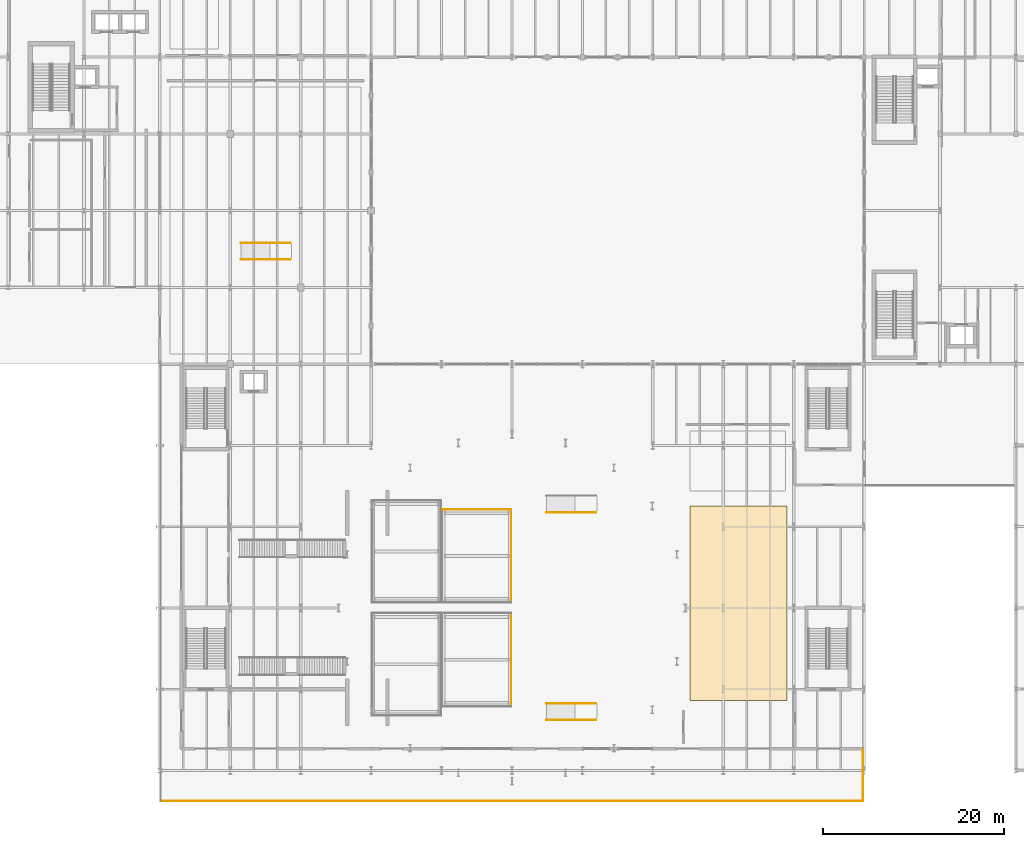
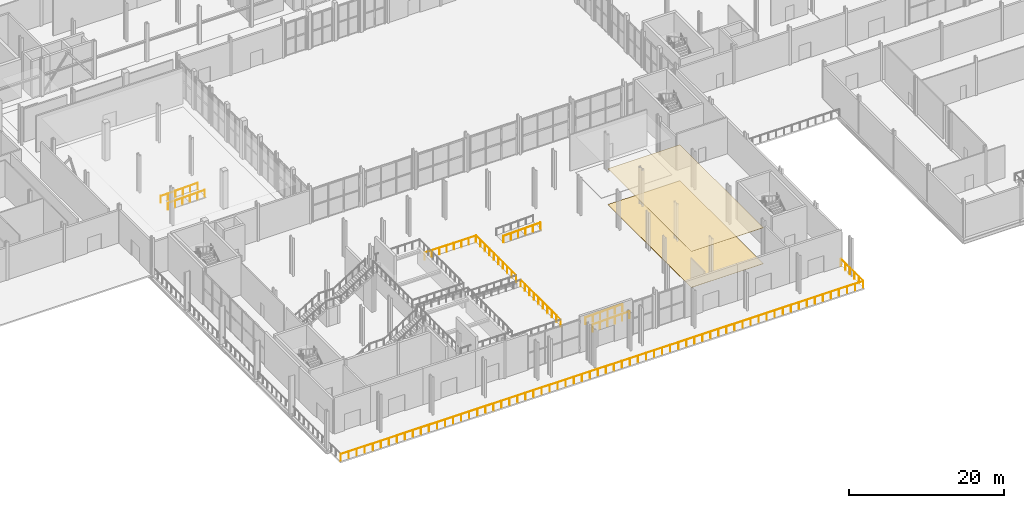
# One storey, part 69 of 84: 10 railings, 2 coverings, 3 elements without a shape of their own.
"""IFC4 building model written with IfcOpenShell, lengths in metres."""

from ifc_helpers import new_model, si_unit, direction, frame, origin, origin_2d, place, context, subcontext, project, spatial, polyline, circle, outline, extrude, material, layer, layer_set, type_object, element, aggregate, save


model = new_model("IFC4")

# Units and contexts
model_context = context("Model", 3, precision=1e-05, world=origin(), true_north=direction((0.0, 1.0)))
body_context = subcontext(model_context, "Body", "Model", "MODEL_VIEW")
ifc_project = project(units=[si_unit("LENGTHUNIT", "METRE"), si_unit("AREAUNIT", "SQUARE_METRE"), si_unit("VOLUMEUNIT", "CUBIC_METRE"), si_unit("PLANEANGLEUNIT", "RADIAN"), si_unit("MASSUNIT", "GRAM", prefix="KILO")], contexts=[model_context])

# Site, building, storey
site_placement = place(None, origin())
site = spatial("IfcSite", under=ifc_project, at=site_placement, CompositionType="ELEMENT")
building_placement = place(site_placement, origin())
building = spatial("IfcBuilding", under=site, at=building_placement, Name="Sefraquen Railside Congress Hotel", CompositionType="ELEMENT")
storey_placement = place(building_placement, origin())
storey = spatial("IfcBuildingStorey", under=building, at=storey_placement, Name="L00", CompositionType="ELEMENT", Elevation=0.0)

# Coverings
ifc_material_1 = material(Name="Acoustic mineral and carved plaster ceiling", Category="gypsum")
ifc_layer_1 = layer(ifc_material_1, 0.0400390625)
ifc_layer_set_1 = layer_set([ifc_layer_1], Name="Acoustic mineral and carved plaster ceiling")
covering_type_1 = type_object("IfcCoveringType", Name="TCV-CEIL-01", PredefinedType="CEILING", material=ifc_layer_set_1)
covering_1_placement = place(storey_placement, frame((0.0, 0.0, 5.659912109375)))
element("IfcCovering", 1, at=covering_1_placement, inside=storey, type_object=covering_type_1, Name="Congress Stage and Proscenium acoustic ceiling finish", PredefinedType="CEILING", context=body_context, shape_type="SweptSolid", body=[
    extrude(outline(polyline([(83.929931640625, 16.72998046875), (94.669921875, 16.72998046875), (94.669921875, 38.27001953125), (83.929931640625, 38.27001953125), (83.929931640625, 16.72998046875)])), origin(), (0.0, 0.0, 1.0), 0.0400390625),
])
ifc_material_2 = material(Name="Moroccan zellige ceramic and honed stone flooring", Category="masonry")
ifc_layer_2 = layer(ifc_material_2, 0.0400390625)
ifc_layer_set_2 = layer_set([ifc_layer_2], Name="Moroccan zellige ceramic and honed stone flooring")
covering_type_2 = type_object("IfcCoveringType", Name="TCV-FLR-01", PredefinedType="FLOORING", material=ifc_layer_set_2)
covering_2_placement = place(storey_placement, origin())
element("IfcCovering", 2, at=covering_2_placement, inside=storey, type_object=covering_type_2, Name="Congress Stage and Proscenium architectural floor finish", PredefinedType="FLOORING", context=body_context, shape_type="SweptSolid", body=[
    extrude(outline(polyline([(83.929931640625, 16.72998046875), (94.669921875, 16.72998046875), (94.669921875, 38.27001953125), (83.929931640625, 38.27001953125), (83.929931640625, 16.72998046875)])), origin(), (0.0, 0.0, 1.0), 0.0400390625),
])

# Ramp, railings
ifc_material_3 = material(Name="Concrete C40/50", Category="concrete")
ramp_type = type_object("IfcRampType", Name="TRP-PED-01", PredefinedType="STRAIGHT_RUN_RAMP", material=ifc_material_3)
ramp_1_placement = place(storey_placement, origin())
ramp_1 = element("IfcRamp", 3, at=ramp_1_placement, inside=storey, type_object=ramp_type, Name="Accessible 1:20 interior dais ramp RMP-L00-PED-01", PredefinedType="STRAIGHT_RUN_RAMP")
ifc_material_4 = material(Name="Patinated wrought architectural bronze", Category="metal")
railing_type = type_object("IfcRailingType", Name="TRL-BAL-110", PredefinedType="BALUSTRADE", material=ifc_material_4)
railing_1_placement = place(storey_placement, frame((68.0, 14.580078125, 0.0)))
railing_1 = element("IfcRailing", 4, at=railing_1_placement, type_object=railing_type, Name="Accessible ramp guard RMP-L00-PED-01-HR1", PredefinedType="BALUSTRADE", context=body_context, shape_type="SweptSolid", body=[
    extrude(circle(Radius=0.02392578125, at=origin_2d()), frame((0.0, 0.0, 1.09619140625), z_axis=(0.999577592046, 0.0, 0.029062647496), x_axis=(0.0, 1.0, 0.0)), (0.0, 0.0, 1.0), 5.50244140625),
    extrude(circle(Radius=0.02099609375, at=origin_2d()), origin(), (0.0, 0.0, 1.0), 1.072021484375),
    extrude(circle(Radius=0.02099609375, at=origin_2d()), frame((1.10009765625, 0.0, 0.031982421875)), (0.0, 0.0, 1.0), 1.072021484375),
    extrude(circle(Radius=0.02099609375, at=origin_2d()), frame((2.199951171875, 0.0, 0.06396484375)), (0.0, 0.0, 1.0), 1.072021484375),
    extrude(circle(Radius=0.02099609375, at=origin_2d()), frame((3.300048828125, 0.0, 0.095947265625)), (0.0, 0.0, 1.0), 1.072021484375),
    extrude(circle(Radius=0.02099609375, at=origin_2d()), frame((4.39990234375, 0.0, 0.1279296875)), (0.0, 0.0, 1.0), 1.072021484375),
    extrude(circle(Radius=0.02099609375, at=origin_2d()), frame((5.5, 0.0, 0.159912109375)), (0.0, 0.0, 1.0), 1.072021484375),
])
railing_2_placement = place(storey_placement, frame((68.0, 16.419921875, 0.0)))
railing_2 = element("IfcRailing", 5, at=railing_2_placement, type_object=railing_type, Name="Accessible ramp guard RMP-L00-PED-01-HR2", PredefinedType="BALUSTRADE", context=body_context, shape_type="SweptSolid", body=[
    extrude(circle(Radius=0.02392578125, at=origin_2d()), frame((0.0, 0.0, 1.09619140625), z_axis=(0.999577592046, 0.0, 0.029062647496), x_axis=(0.0, 1.0, 0.0)), (0.0, 0.0, 1.0), 5.50244140625),
    extrude(circle(Radius=0.02099609375, at=origin_2d()), origin(), (0.0, 0.0, 1.0), 1.072021484375),
    extrude(circle(Radius=0.02099609375, at=origin_2d()), frame((1.10009765625, 0.0, 0.031982421875)), (0.0, 0.0, 1.0), 1.072021484375),
    extrude(circle(Radius=0.02099609375, at=origin_2d()), frame((2.199951171875, 0.0, 0.06396484375)), (0.0, 0.0, 1.0), 1.072021484375),
    extrude(circle(Radius=0.02099609375, at=origin_2d()), frame((3.300048828125, 0.0, 0.095947265625)), (0.0, 0.0, 1.0), 1.072021484375),
    extrude(circle(Radius=0.02099609375, at=origin_2d()), frame((4.39990234375, 0.0, 0.1279296875)), (0.0, 0.0, 1.0), 1.072021484375),
    extrude(circle(Radius=0.02099609375, at=origin_2d()), frame((5.5, 0.0, 0.159912109375)), (0.0, 0.0, 1.0), 1.072021484375),
])
aggregate(ramp_1, [railing_1, railing_2])

# Ramp, railing
ramp_2_placement = place(storey_placement, origin())
ramp_2 = element("IfcRamp", 6, at=ramp_2_placement, inside=storey, type_object=ramp_type, Name="Accessible 1:20 interior dais ramp RMP-L00-PED-02", PredefinedType="STRAIGHT_RUN_RAMP")
railing_3_placement = place(storey_placement, frame((68.0, 37.580078125, 0.0)))
railing_3 = element("IfcRailing", 7, at=railing_3_placement, type_object=railing_type, Name="Accessible ramp guard RMP-L00-PED-02-HR1", PredefinedType="BALUSTRADE", context=body_context, shape_type="SweptSolid", body=[
    extrude(circle(Radius=0.02392578125, at=origin_2d()), frame((0.0, 0.0, 1.09619140625), z_axis=(0.999577592046, 0.0, 0.029062647496), x_axis=(0.0, 1.0, 0.0)), (0.0, 0.0, 1.0), 5.50244140625),
    extrude(circle(Radius=0.02099609375, at=origin_2d()), origin(), (0.0, 0.0, 1.0), 1.072021484375),
    extrude(circle(Radius=0.02099609375, at=origin_2d()), frame((1.10009765625, 0.0, 0.031982421875)), (0.0, 0.0, 1.0), 1.072021484375),
    extrude(circle(Radius=0.02099609375, at=origin_2d()), frame((2.199951171875, 0.0, 0.06396484375)), (0.0, 0.0, 1.0), 1.072021484375),
    extrude(circle(Radius=0.02099609375, at=origin_2d()), frame((3.300048828125, 0.0, 0.095947265625)), (0.0, 0.0, 1.0), 1.072021484375),
    extrude(circle(Radius=0.02099609375, at=origin_2d()), frame((4.39990234375, 0.0, 0.1279296875)), (0.0, 0.0, 1.0), 1.072021484375),
    extrude(circle(Radius=0.02099609375, at=origin_2d()), frame((5.5, 0.0, 0.159912109375)), (0.0, 0.0, 1.0), 1.072021484375),
])
aggregate(ramp_2, [railing_3])

# Ramp, railings
ramp_3_placement = place(storey_placement, origin())
ramp_3 = element("IfcRamp", 8, at=ramp_3_placement, inside=storey, type_object=ramp_type, Name="Accessible 1:20 interior dais ramp RMP-L00-PED-05", PredefinedType="STRAIGHT_RUN_RAMP")
railing_4_placement = place(storey_placement, frame((34.199951171875, 65.580078125, 0.0)))
railing_4 = element("IfcRailing", 9, at=railing_4_placement, type_object=railing_type, Name="Accessible ramp guard RMP-L00-PED-05-HR1", PredefinedType="BALUSTRADE", context=body_context, shape_type="SweptSolid", body=[
    extrude(circle(Radius=0.02392578125, at=origin_2d()), frame((0.0, 0.0, 1.09619140625), z_axis=(0.999577592046, 0.0, 0.029062647496), x_axis=(0.0, 1.0, 0.0)), (0.0, 0.0, 1.0), 5.50244140625),
    extrude(circle(Radius=0.02099609375, at=origin_2d()), origin(), (0.0, 0.0, 1.0), 1.072021484375),
    extrude(circle(Radius=0.02099609375, at=origin_2d()), frame((1.10009765625, 0.0, 0.031982421875)), (0.0, 0.0, 1.0), 1.072021484375),
    extrude(circle(Radius=0.02099609375, at=origin_2d()), frame((2.199951171875, 0.0, 0.06396484375)), (0.0, 0.0, 1.0), 1.072021484375),
    extrude(circle(Radius=0.02099609375, at=origin_2d()), frame((3.300048828125, 0.0, 0.095947265625)), (0.0, 0.0, 1.0), 1.072021484375),
    extrude(circle(Radius=0.02099609375, at=origin_2d()), frame((4.39990234375, 0.0, 0.1279296875)), (0.0, 0.0, 1.0), 1.072021484375),
    extrude(circle(Radius=0.02099609375, at=origin_2d()), frame((5.5, 0.0, 0.159912109375)), (0.0, 0.0, 1.0), 1.072021484375),
])
railing_5_placement = place(storey_placement, frame((34.199951171875, 67.419921875, 0.0)))
railing_5 = element("IfcRailing", 10, at=railing_5_placement, type_object=railing_type, Name="Accessible ramp guard RMP-L00-PED-05-HR2", PredefinedType="BALUSTRADE", context=body_context, shape_type="SweptSolid", body=[
    extrude(circle(Radius=0.02392578125, at=origin_2d()), frame((0.0, 0.0, 1.09619140625), z_axis=(0.999577592046, 0.0, 0.029062647496), x_axis=(0.0, 1.0, 0.0)), (0.0, 0.0, 1.0), 5.50244140625),
    extrude(circle(Radius=0.02099609375, at=origin_2d()), origin(), (0.0, 0.0, 1.0), 1.072021484375),
    extrude(circle(Radius=0.02099609375, at=origin_2d()), frame((1.10009765625, 0.0, 0.031982421875)), (0.0, 0.0, 1.0), 1.072021484375),
    extrude(circle(Radius=0.02099609375, at=origin_2d()), frame((2.199951171875, 0.0, 0.06396484375)), (0.0, 0.0, 1.0), 1.072021484375),
    extrude(circle(Radius=0.02099609375, at=origin_2d()), frame((3.300048828125, 0.0, 0.095947265625)), (0.0, 0.0, 1.0), 1.072021484375),
    extrude(circle(Radius=0.02099609375, at=origin_2d()), frame((4.39990234375, 0.0, 0.1279296875)), (0.0, 0.0, 1.0), 1.072021484375),
    extrude(circle(Radius=0.02099609375, at=origin_2d()), frame((5.5, 0.0, 0.159912109375)), (0.0, 0.0, 1.0), 1.072021484375),
])
aggregate(ramp_3, [railing_4, railing_5])

# Railings
railing_6_placement = place(storey_placement, frame((25.300048828125, 5.60009765625, 0.0)))
element("IfcRailing", 11, at=railing_6_placement, inside=storey, type_object=railing_type, Name="South Congress colonnade perimeter balustrade", PredefinedType="BALUSTRADE", context=body_context, shape_type="SweptSolid", body=[
    extrude(circle(Radius=0.02392578125, at=origin_2d()), frame((0.0, 0.0, 1.09619140625), z_axis=(1.0, 0.0, 0.0), x_axis=(0.0, 1.0, 0.0)), (0.0, 0.0, 1.0), 77.800048828125),
    extrude(circle(Radius=0.02099609375, at=origin_2d()), origin(), (0.0, 0.0, 1.0), 1.072021484375),
    extrude(circle(Radius=0.02099609375, at=origin_2d()), frame((1.197021484375, 0.0, 0.0)), (0.0, 0.0, 1.0), 1.072021484375),
    extrude(circle(Radius=0.02099609375, at=origin_2d()), frame((2.393798828125, 0.0, 0.0)), (0.0, 0.0, 1.0), 1.072021484375),
    extrude(circle(Radius=0.02099609375, at=origin_2d()), frame((3.5908203125, 0.0, 0.0)), (0.0, 0.0, 1.0), 1.072021484375),
    extrude(circle(Radius=0.02099609375, at=origin_2d()), frame((4.78759765625, 0.0, 0.0)), (0.0, 0.0, 1.0), 1.072021484375),
    extrude(circle(Radius=0.02099609375, at=origin_2d()), frame((5.984619140625, 0.0, 0.0)), (0.0, 0.0, 1.0), 1.072021484375),
    extrude(circle(Radius=0.02099609375, at=origin_2d()), frame((7.181640625, 0.0, 0.0)), (0.0, 0.0, 1.0), 1.072021484375),
    extrude(circle(Radius=0.02099609375, at=origin_2d()), frame((8.37841796875, 0.0, 0.0)), (0.0, 0.0, 1.0), 1.072021484375),
    extrude(circle(Radius=0.02099609375, at=origin_2d()), frame((9.575439453125, 0.0, 0.0)), (0.0, 0.0, 1.0), 1.072021484375),
    extrude(circle(Radius=0.02099609375, at=origin_2d()), frame((10.772216796875, 0.0, 0.0)), (0.0, 0.0, 1.0), 1.072021484375),
    extrude(circle(Radius=0.02099609375, at=origin_2d()), frame((11.96923828125, 0.0, 0.0)), (0.0, 0.0, 1.0), 1.072021484375),
    extrude(circle(Radius=0.02099609375, at=origin_2d()), frame((13.166259765625, 0.0, 0.0)), (0.0, 0.0, 1.0), 1.072021484375),
    extrude(circle(Radius=0.02099609375, at=origin_2d()), frame((14.363037109375, 0.0, 0.0)), (0.0, 0.0, 1.0), 1.072021484375),
    extrude(circle(Radius=0.02099609375, at=origin_2d()), frame((15.56005859375, 0.0, 0.0)), (0.0, 0.0, 1.0), 1.072021484375),
    extrude(circle(Radius=0.02099609375, at=origin_2d()), frame((16.7568359375, 0.0, 0.0)), (0.0, 0.0, 1.0), 1.072021484375),
    extrude(circle(Radius=0.02099609375, at=origin_2d()), frame((17.953857421875, 0.0, 0.0)), (0.0, 0.0, 1.0), 1.072021484375),
    extrude(circle(Radius=0.02099609375, at=origin_2d()), frame((19.15087890625, 0.0, 0.0)), (0.0, 0.0, 1.0), 1.072021484375),
    extrude(circle(Radius=0.02099609375, at=origin_2d()), frame((20.34765625, 0.0, 0.0)), (0.0, 0.0, 1.0), 1.072021484375),
    extrude(circle(Radius=0.02099609375, at=origin_2d()), frame((21.544677734375, 0.0, 0.0)), (0.0, 0.0, 1.0), 1.072021484375),
    extrude(circle(Radius=0.02099609375, at=origin_2d()), frame((22.741455078125, 0.0, 0.0)), (0.0, 0.0, 1.0), 1.072021484375),
    extrude(circle(Radius=0.02099609375, at=origin_2d()), frame((23.9384765625, 0.0, 0.0)), (0.0, 0.0, 1.0), 1.072021484375),
    extrude(circle(Radius=0.02099609375, at=origin_2d()), frame((25.135498046875, 0.0, 0.0)), (0.0, 0.0, 1.0), 1.072021484375),
    extrude(circle(Radius=0.02099609375, at=origin_2d()), frame((26.332275390625, 0.0, 0.0)), (0.0, 0.0, 1.0), 1.072021484375),
    extrude(circle(Radius=0.02099609375, at=origin_2d()), frame((27.529296875, 0.0, 0.0)), (0.0, 0.0, 1.0), 1.072021484375),
    extrude(circle(Radius=0.02099609375, at=origin_2d()), frame((28.72607421875, 0.0, 0.0)), (0.0, 0.0, 1.0), 1.072021484375),
    extrude(circle(Radius=0.02099609375, at=origin_2d()), frame((29.923095703125, 0.0, 0.0)), (0.0, 0.0, 1.0), 1.072021484375),
    extrude(circle(Radius=0.02099609375, at=origin_2d()), frame((31.1201171875, 0.0, 0.0)), (0.0, 0.0, 1.0), 1.072021484375),
    extrude(circle(Radius=0.02099609375, at=origin_2d()), frame((32.31689453125, 0.0, 0.0)), (0.0, 0.0, 1.0), 1.072021484375),
    extrude(circle(Radius=0.02099609375, at=origin_2d()), frame((33.513916015625, 0.0, 0.0)), (0.0, 0.0, 1.0), 1.072021484375),
    extrude(circle(Radius=0.02099609375, at=origin_2d()), frame((34.710693359375, 0.0, 0.0)), (0.0, 0.0, 1.0), 1.072021484375),
    extrude(circle(Radius=0.02099609375, at=origin_2d()), frame((35.90771484375, 0.0, 0.0)), (0.0, 0.0, 1.0), 1.072021484375),
    extrude(circle(Radius=0.02099609375, at=origin_2d()), frame((37.104736328125, 0.0, 0.0)), (0.0, 0.0, 1.0), 1.072021484375),
    extrude(circle(Radius=0.02099609375, at=origin_2d()), frame((38.301513671875, 0.0, 0.0)), (0.0, 0.0, 1.0), 1.072021484375),
    extrude(circle(Radius=0.02099609375, at=origin_2d()), frame((39.49853515625, 0.0, 0.0)), (0.0, 0.0, 1.0), 1.072021484375),
    extrude(circle(Radius=0.02099609375, at=origin_2d()), frame((40.6953125, 0.0, 0.0)), (0.0, 0.0, 1.0), 1.072021484375),
    extrude(circle(Radius=0.02099609375, at=origin_2d()), frame((41.892333984375, 0.0, 0.0)), (0.0, 0.0, 1.0), 1.072021484375),
    extrude(circle(Radius=0.02099609375, at=origin_2d()), frame((43.08935546875, 0.0, 0.0)), (0.0, 0.0, 1.0), 1.072021484375),
    extrude(circle(Radius=0.02099609375, at=origin_2d()), frame((44.2861328125, 0.0, 0.0)), (0.0, 0.0, 1.0), 1.072021484375),
    extrude(circle(Radius=0.02099609375, at=origin_2d()), frame((45.483154296875, 0.0, 0.0)), (0.0, 0.0, 1.0), 1.072021484375),
    extrude(circle(Radius=0.02099609375, at=origin_2d()), frame((46.679931640625, 0.0, 0.0)), (0.0, 0.0, 1.0), 1.072021484375),
    extrude(circle(Radius=0.02099609375, at=origin_2d()), frame((47.876953125, 0.0, 0.0)), (0.0, 0.0, 1.0), 1.072021484375),
    extrude(circle(Radius=0.02099609375, at=origin_2d()), frame((49.073974609375, 0.0, 0.0)), (0.0, 0.0, 1.0), 1.072021484375),
    extrude(circle(Radius=0.02099609375, at=origin_2d()), frame((50.270751953125, 0.0, 0.0)), (0.0, 0.0, 1.0), 1.072021484375),
    extrude(circle(Radius=0.02099609375, at=origin_2d()), frame((51.4677734375, 0.0, 0.0)), (0.0, 0.0, 1.0), 1.072021484375),
    extrude(circle(Radius=0.02099609375, at=origin_2d()), frame((52.66455078125, 0.0, 0.0)), (0.0, 0.0, 1.0), 1.072021484375),
    extrude(circle(Radius=0.02099609375, at=origin_2d()), frame((53.861572265625, 0.0, 0.0)), (0.0, 0.0, 1.0), 1.072021484375),
    extrude(circle(Radius=0.02099609375, at=origin_2d()), frame((55.05859375, 0.0, 0.0)), (0.0, 0.0, 1.0), 1.072021484375),
    extrude(circle(Radius=0.02099609375, at=origin_2d()), frame((56.25537109375, 0.0, 0.0)), (0.0, 0.0, 1.0), 1.072021484375),
    extrude(circle(Radius=0.02099609375, at=origin_2d()), frame((57.452392578125, 0.0, 0.0)), (0.0, 0.0, 1.0), 1.072021484375),
    extrude(circle(Radius=0.02099609375, at=origin_2d()), frame((58.649169921875, 0.0, 0.0)), (0.0, 0.0, 1.0), 1.072021484375),
    extrude(circle(Radius=0.02099609375, at=origin_2d()), frame((59.84619140625, 0.0, 0.0)), (0.0, 0.0, 1.0), 1.072021484375),
    extrude(circle(Radius=0.02099609375, at=origin_2d()), frame((61.043212890625, 0.0, 0.0)), (0.0, 0.0, 1.0), 1.072021484375),
    extrude(circle(Radius=0.02099609375, at=origin_2d()), frame((62.239990234375, 0.0, 0.0)), (0.0, 0.0, 1.0), 1.072021484375),
    extrude(circle(Radius=0.02099609375, at=origin_2d()), frame((63.43701171875, 0.0, 0.0)), (0.0, 0.0, 1.0), 1.072021484375),
    extrude(circle(Radius=0.02099609375, at=origin_2d()), frame((64.6337890625, 0.0, 0.0)), (0.0, 0.0, 1.0), 1.072021484375),
    extrude(circle(Radius=0.02099609375, at=origin_2d()), frame((65.830810546875, 0.0, 0.0)), (0.0, 0.0, 1.0), 1.072021484375),
    extrude(circle(Radius=0.02099609375, at=origin_2d()), frame((67.02783203125, 0.0, 0.0)), (0.0, 0.0, 1.0), 1.072021484375),
    extrude(circle(Radius=0.02099609375, at=origin_2d()), frame((68.224609375, 0.0, 0.0)), (0.0, 0.0, 1.0), 1.072021484375),
    extrude(circle(Radius=0.02099609375, at=origin_2d()), frame((69.421630859375, 0.0, 0.0)), (0.0, 0.0, 1.0), 1.072021484375),
    extrude(circle(Radius=0.02099609375, at=origin_2d()), frame((70.618408203125, 0.0, 0.0)), (0.0, 0.0, 1.0), 1.072021484375),
    extrude(circle(Radius=0.02099609375, at=origin_2d()), frame((71.8154296875, 0.0, 0.0)), (0.0, 0.0, 1.0), 1.072021484375),
    extrude(circle(Radius=0.02099609375, at=origin_2d()), frame((73.012451171875, 0.0, 0.0)), (0.0, 0.0, 1.0), 1.072021484375),
    extrude(circle(Radius=0.02099609375, at=origin_2d()), frame((74.209228515625, 0.0, 0.0)), (0.0, 0.0, 1.0), 1.072021484375),
    extrude(circle(Radius=0.02099609375, at=origin_2d()), frame((75.40625, 0.0, 0.0)), (0.0, 0.0, 1.0), 1.072021484375),
    extrude(circle(Radius=0.02099609375, at=origin_2d()), frame((76.60302734375, 0.0, 0.0)), (0.0, 0.0, 1.0), 1.072021484375),
    extrude(circle(Radius=0.02099609375, at=origin_2d()), frame((77.800048828125, 0.0, 0.0)), (0.0, 0.0, 1.0), 1.072021484375),
])
railing_7_placement = place(storey_placement, frame((103.10009765625, 5.60009765625, 0.0)))
element("IfcRailing", 12, at=railing_7_placement, inside=storey, type_object=railing_type, Name="South Congress colonnade perimeter balustrade", PredefinedType="BALUSTRADE", context=body_context, shape_type="SweptSolid", body=[
    extrude(circle(Radius=0.02392578125, at=origin_2d()), frame((0.0, 0.0, 1.09619140625), z_axis=(0.0, 1.0, 0.0), x_axis=(-1.0, 0.0, 0.0)), (0.0, 0.0, 1.0), 5.699951171875),
    extrude(circle(Radius=0.02099609375, at=origin_2d()), origin(), (0.0, 0.0, 1.0), 1.072021484375),
    extrude(circle(Radius=0.02099609375, at=origin_2d()), frame((0.0, 1.139892578125, 0.0)), (0.0, 0.0, 1.0), 1.072021484375),
    extrude(circle(Radius=0.02099609375, at=origin_2d()), frame((0.0, 2.280029296875, 0.0)), (0.0, 0.0, 1.0), 1.072021484375),
    extrude(circle(Radius=0.02099609375, at=origin_2d()), frame((0.0, 3.419921875, 0.0)), (0.0, 0.0, 1.0), 1.072021484375),
    extrude(circle(Radius=0.02099609375, at=origin_2d()), frame((0.0, 4.56005859375, 0.0)), (0.0, 0.0, 1.0), 1.072021484375),
    extrude(circle(Radius=0.02099609375, at=origin_2d()), frame((0.0, 5.699951171875, 0.0)), (0.0, 0.0, 1.0), 1.072021484375),
])
for number, where, name in (
    (13, (64.1201171875, 16.080078125, 1.199951171875), "Congress seating tier 1 perimeter guard"),
    (14, (64.1201171875, 27.580078125, 1.199951171875), "Congress seating tier 2 perimeter guard"),
):
    element("IfcRailing", number, at=place(storey_placement, frame(where)), inside=storey, type_object=railing_type, Name=name, PredefinedType="BALUSTRADE", context=body_context, shape_type="SweptSolid", body=[
        extrude(circle(Radius=0.02392578125, at=origin_2d()), frame((0.0, 0.0, 1.09619140625), z_axis=(0.0, 1.0, 0.0), x_axis=(-1.0, 0.0, 0.0)), (0.0, 0.0, 1.0), 10.33984375),
        extrude(circle(Radius=0.02099609375, at=origin_2d()), origin(), (0.0, 0.0, 1.0), 1.072021484375),
        extrude(circle(Radius=0.02099609375, at=origin_2d()), frame((0.0, 1.14892578125, 0.0)), (0.0, 0.0, 1.0), 1.072021484375),
        extrude(circle(Radius=0.02099609375, at=origin_2d()), frame((0.0, 2.2978515625, 0.0)), (0.0, 0.0, 1.0), 1.072021484375),
        extrude(circle(Radius=0.02099609375, at=origin_2d()), frame((0.0, 3.446533203125, 0.0)), (0.0, 0.0, 1.0), 1.072021484375),
        extrude(circle(Radius=0.02099609375, at=origin_2d()), frame((0.0, 4.595458984375, 0.0)), (0.0, 0.0, 1.0), 1.072021484375),
        extrude(circle(Radius=0.02099609375, at=origin_2d()), frame((0.0, 5.744384765625, 0.0)), (0.0, 0.0, 1.0), 1.072021484375),
        extrude(circle(Radius=0.02099609375, at=origin_2d()), frame((0.0, 6.893310546875, 0.0)), (0.0, 0.0, 1.0), 1.072021484375),
        extrude(circle(Radius=0.02099609375, at=origin_2d()), frame((0.0, 8.0419921875, 0.0)), (0.0, 0.0, 1.0), 1.072021484375),
        extrude(circle(Radius=0.02099609375, at=origin_2d()), frame((0.0, 9.19091796875, 0.0)), (0.0, 0.0, 1.0), 1.072021484375),
        extrude(circle(Radius=0.02099609375, at=origin_2d()), frame((0.0, 10.33984375, 0.0)), (0.0, 0.0, 1.0), 1.072021484375),
    ])
railing_8_placement = place(storey_placement, frame((64.1201171875, 37.919921875, 1.199951171875)))
element("IfcRailing", 15, at=railing_8_placement, inside=storey, type_object=railing_type, Name="Congress seating tier 2 perimeter guard", PredefinedType="BALUSTRADE", context=body_context, shape_type="SweptSolid", body=[
    extrude(circle(Radius=0.02392578125, at=origin_2d()), frame((0.0, 0.0, 1.09619140625), z_axis=(-1.0, 0.0, 0.0), x_axis=(0.0, -1.0, 0.0)), (0.0, 0.0, 1.0), 7.64013671875),
    extrude(circle(Radius=0.02099609375, at=origin_2d()), origin(), (0.0, 0.0, 1.0), 1.072021484375),
    extrude(circle(Radius=0.02099609375, at=origin_2d()), frame((-1.091552734375, 0.0, 0.0)), (0.0, 0.0, 1.0), 1.072021484375),
    extrude(circle(Radius=0.02099609375, at=origin_2d()), frame((-2.182861328125, 0.0, 0.0)), (0.0, 0.0, 1.0), 1.072021484375),
    extrude(circle(Radius=0.02099609375, at=origin_2d()), frame((-3.2744140625, 0.0, 0.0)), (0.0, 0.0, 1.0), 1.072021484375),
    extrude(circle(Radius=0.02099609375, at=origin_2d()), frame((-4.36572265625, 0.0, 0.0)), (0.0, 0.0, 1.0), 1.072021484375),
    extrude(circle(Radius=0.02099609375, at=origin_2d()), frame((-5.457275390625, 0.0, 0.0)), (0.0, 0.0, 1.0), 1.072021484375),
    extrude(circle(Radius=0.02099609375, at=origin_2d()), frame((-6.548583984375, 0.0, 0.0)), (0.0, 0.0, 1.0), 1.072021484375),
    extrude(circle(Radius=0.02099609375, at=origin_2d()), frame((-7.64013671875, 0.0, 0.0)), (0.0, 0.0, 1.0), 1.072021484375),
])

save(model, "model.ifc")
